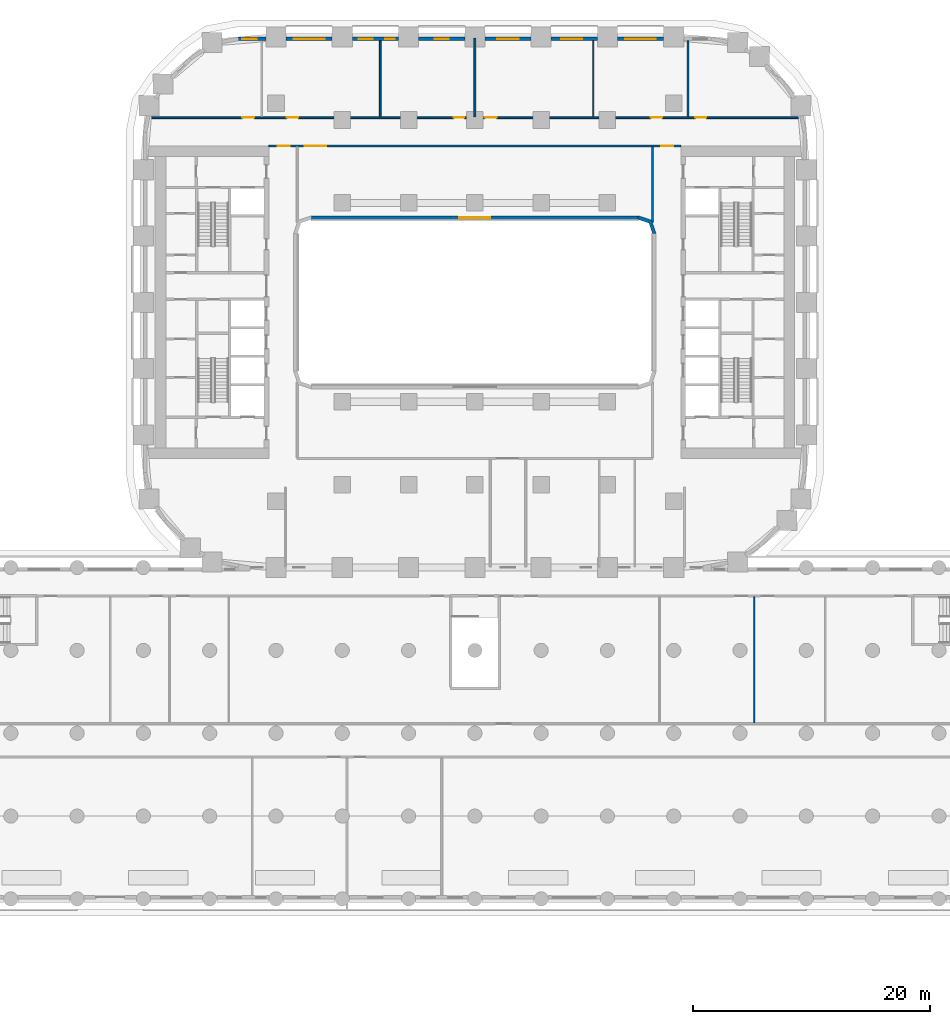
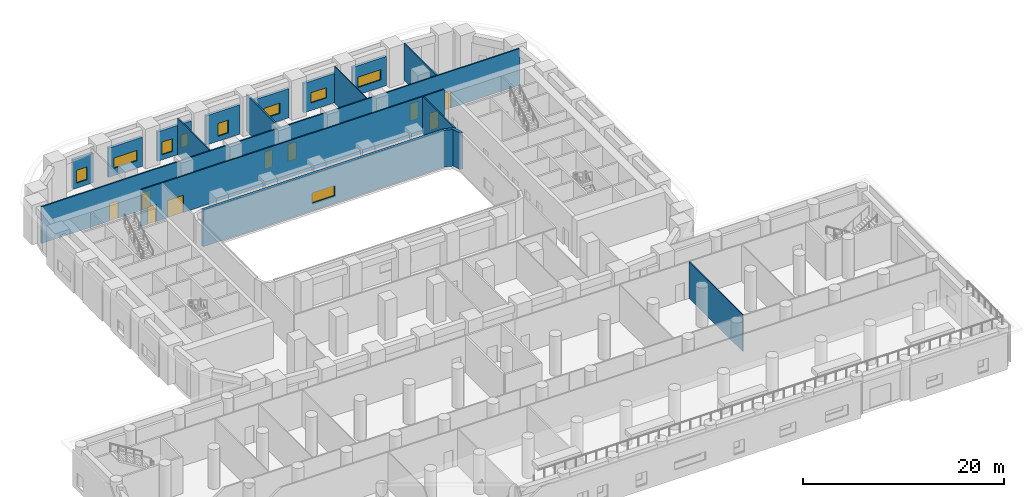
# One storey, part 12 of 24: 17 walls, 9 doors, 9 windows, 18 openings.
"""IFC4 building model written with IfcOpenShell, lengths in metres."""

from ifc_helpers import new_model, si_unit, direction, frame, frame_2d, origin, place, context, subcontext, project, spatial, polyline, rectangle, outline, extrude, material, layer, layer_set, type_object, element, fill, save


model = new_model("IFC4")

# Units and contexts
model_context = context("Model", 3, precision=1e-05, world=origin(), true_north=direction((0.0, 1.0)))
body_context = subcontext(model_context, "Body", "Model", "MODEL_VIEW")
ifc_project = project(units=[si_unit("LENGTHUNIT", "METRE"), si_unit("AREAUNIT", "SQUARE_METRE"), si_unit("VOLUMEUNIT", "CUBIC_METRE"), si_unit("PLANEANGLEUNIT", "RADIAN"), si_unit("MASSUNIT", "GRAM", prefix="KILO")], contexts=[model_context])

# Site, building, storey
site_placement = place(None, origin())
site = spatial("IfcSite", under=ifc_project, at=site_placement, CompositionType="ELEMENT")
building_placement = place(site_placement, origin())
building = spatial("IfcBuilding", under=site, at=building_placement, Name="Kiln Ring Residences", CompositionType="ELEMENT")
storey_placement = place(building_placement, frame((0.0, 0.0, 11.300048828125)))
storey = spatial("IfcBuildingStorey", under=building, at=storey_placement, Name="L02", CompositionType="ELEMENT", Elevation=11.300048828125)

# Wall, opening, window
ifc_material_1 = material(Name="Brick masonry, dark clay brick", Category="masonry")
ifc_layer_1 = layer(ifc_material_1, 0.300048828125)
ifc_layer_set_1 = layer_set([ifc_layer_1], Name="EW-300 BRICK WALL")
wall_type_1 = type_object("IfcWallType", Name="EW-300 BRICK WALL", PredefinedType="SOLIDWALL", material=ifc_layer_set_1)
wall_1_placement = place(storey_placement, frame((15.949951171875, 22.25, 0.0), z_axis=(0.0, 0.0, 1.0), x_axis=(-1.0, 0.0, 0.0)))
wall_1 = element("IfcWall", 1, at=wall_1_placement, inside=storey, type_object=wall_type_1, Name="Facade wall L02 27", PredefinedType="SOLIDWALL", context=body_context, shape_type="SweptSolid", body=[
    extrude(rectangle(XDim=3.89990234375, YDim=0.300048828125, at=frame_2d((1.949951171875, 0.0))), origin(), (0.0, 0.0, 1.0), 3.550048828125),
])
opening_1_placement = place(wall_1_placement, frame((0.64990234375, 0.0, 0.89990234375)))
opening_1 = element("IfcOpeningElement", 2, at=opening_1_placement, cuts=wall_1, Name="Opening W3", PredefinedType="OPENING", context=body_context, shape_type="SweptSolid", body=[
    extrude(rectangle(XDim=2.60009765625, YDim=1.25, at=frame_2d((1.300048828125, 0.625))), frame((0.0, 0.159912109375, 0.0), z_axis=(0.0, -1.0, 0.0), x_axis=(1.0, 0.0, 0.0)), (0.0, 0.0, 1.0), 0.320068359375),
])
ifc_material_2 = material(Name="Aluminium frame with double glazing", Category="aluminium")
window_type_1 = type_object("IfcWindowType", Name="WINDOW 2600 x 1250", PartitioningType="SINGLE_PANEL", PredefinedType="WINDOW", material=ifc_material_2)
window_1_placement = place(opening_1_placement, origin())
window_1 = element("IfcWindow", 3, at=window_1_placement, inside=storey, type_object=window_type_1, Name="Window L02 13", OverallHeight=1.25, OverallWidth=2.60009765625, PartitioningType="SINGLE_PANEL", PredefinedType="WINDOW", context=body_context, shape_type="SweptSolid", body=[
    extrude(rectangle(XDim=2.60009765625, YDim=1.25, at=frame_2d((1.300048828125, 0.625))), frame((0.0, 0.030029296875, 0.0), z_axis=(0.0, -1.0, 0.0), x_axis=(1.0, 0.0, 0.0)), (0.0, 0.0, 1.0), 0.06005859375),
])
fill(opening_1, window_1)

wall_2_placement = place(storey_placement, frame((10.35009765625, 22.25, 0.0), z_axis=(0.0, 0.0, 1.0), x_axis=(-1.0, 0.0, 0.0)))
wall_2 = element("IfcWall", 4, at=wall_2_placement, inside=storey, type_object=wall_type_1, Name="Facade wall L02 28", PredefinedType="SOLIDWALL", context=body_context, shape_type="SweptSolid", body=[
    extrude(rectangle(XDim=3.900146484375, YDim=0.300048828125, at=frame_2d((1.9501953125, 0.0))), origin(), (0.0, 0.0, 1.0), 3.550048828125),
])
opening_2_placement = place(wall_2_placement, frame((1.262451171875, 0.0, 0.89990234375)))
opening_2 = element("IfcOpeningElement", 5, at=opening_2_placement, cuts=wall_2, Name="Opening W2", PredefinedType="OPENING", context=body_context, shape_type="SweptSolid", body=[
    extrude(rectangle(XDim=1.800048828125, YDim=1.25, at=frame_2d((0.89990234375, 0.625))), frame((0.0, 0.159912109375, 0.0), z_axis=(0.0, -1.0, 0.0), x_axis=(1.0, 0.0, 0.0)), (0.0, 0.0, 1.0), 0.320068359375),
])
ifc_material_3 = material(Name="Aluminium frame with double glazing", Category="aluminium")
window_type_2 = type_object("IfcWindowType", Name="WINDOW 1800 x 1250", PartitioningType="SINGLE_PANEL", PredefinedType="WINDOW", material=ifc_material_3)
window_2_placement = place(opening_2_placement, origin())
window_2 = element("IfcWindow", 6, at=window_2_placement, inside=storey, type_object=window_type_2, Name="Window L02 14", OverallHeight=1.25, OverallWidth=1.800048828125, PartitioningType="SINGLE_PANEL", PredefinedType="WINDOW", context=body_context, shape_type="SweptSolid", body=[
    extrude(rectangle(XDim=1.800048828125, YDim=1.25, at=frame_2d((0.89990234375, 0.625))), frame((0.0, 0.030029296875, 0.0), z_axis=(0.0, -1.0, 0.0), x_axis=(1.0, 0.0, 0.0)), (0.0, 0.0, 1.0), 0.06005859375),
])
fill(opening_2, window_2)

wall_3_placement = place(storey_placement, frame((4.75, 22.25, 0.0), z_axis=(0.0, 0.0, 1.0), x_axis=(-1.0, 0.0, 0.0)))
wall_3 = element("IfcWall", 7, at=wall_3_placement, inside=storey, type_object=wall_type_1, Name="Facade wall L02 29", PredefinedType="SOLIDWALL", context=body_context, shape_type="SweptSolid", body=[
    extrude(rectangle(XDim=3.89990234375, YDim=0.300048828125, at=frame_2d((1.949951171875, 0.0))), origin(), (0.0, 0.0, 1.0), 3.550048828125),
])
opening_3_placement = place(wall_3_placement, frame((1.050048828125, 0.0, 0.89990234375)))
opening_3 = element("IfcOpeningElement", 8, at=opening_3_placement, cuts=wall_3, Name="Opening W2", PredefinedType="OPENING", context=body_context, shape_type="SweptSolid", body=[
    extrude(rectangle(XDim=1.800048828125, YDim=1.25, at=frame_2d((0.89990234375, 0.625))), frame((0.0, 0.159912109375, 0.0), z_axis=(0.0, -1.0, 0.0), x_axis=(1.0, 0.0, 0.0)), (0.0, 0.0, 1.0), 0.320068359375),
])
window_3_placement = place(opening_3_placement, origin())
window_3 = element("IfcWindow", 9, at=window_3_placement, inside=storey, type_object=window_type_2, Name="Window L02 15", OverallHeight=1.25, OverallWidth=1.800048828125, PartitioningType="SINGLE_PANEL", PredefinedType="WINDOW", context=body_context, shape_type="SweptSolid", body=[
    extrude(rectangle(XDim=1.800048828125, YDim=1.25, at=frame_2d((0.89990234375, 0.625))), frame((0.0, 0.030029296875, 0.0), z_axis=(0.0, -1.0, 0.0), x_axis=(1.0, 0.0, 0.0)), (0.0, 0.0, 1.0), 0.06005859375),
])
fill(opening_3, window_3)

wall_4_placement = place(storey_placement, frame((-0.85009765625, 22.25, 0.0), z_axis=(0.0, 0.0, 1.0), x_axis=(-1.0, 0.0, 0.0)))
wall_4 = element("IfcWall", 10, at=wall_4_placement, inside=storey, type_object=wall_type_1, Name="Facade wall L02 30", PredefinedType="SOLIDWALL", context=body_context, shape_type="SweptSolid", body=[
    extrude(rectangle(XDim=3.89990234375, YDim=0.300048828125, at=frame_2d((1.949951171875, 0.0))), origin(), (0.0, 0.0, 1.0), 3.550048828125),
])
opening_4_placement = place(wall_4_placement, frame((1.35009765625, 0.0, 0.60009765625)))
opening_4 = element("IfcOpeningElement", 11, at=opening_4_placement, cuts=wall_4, Name="Opening W1", PredefinedType="OPENING", context=body_context, shape_type="SweptSolid", body=[
    extrude(rectangle(XDim=1.199951171875, YDim=1.550048828125, at=frame_2d((0.60009765625, 0.77490234375))), frame((0.0, 0.159912109375, 0.0), z_axis=(0.0, -1.0, 0.0), x_axis=(1.0, 0.0, 0.0)), (0.0, 0.0, 1.0), 0.320068359375),
])
ifc_material_4 = material(Name="Aluminium frame with double glazing", Category="aluminium")
window_type_3 = type_object("IfcWindowType", Name="WINDOW 1200 x 1550", PartitioningType="SINGLE_PANEL", PredefinedType="WINDOW", material=ifc_material_4)
window_4_placement = place(opening_4_placement, origin())
window_4 = element("IfcWindow", 12, at=window_4_placement, inside=storey, type_object=window_type_3, Name="Window L02 16", OverallHeight=1.550048828125, OverallWidth=1.199951171875, PartitioningType="SINGLE_PANEL", PredefinedType="WINDOW", context=body_context, shape_type="SweptSolid", body=[
    extrude(rectangle(XDim=1.199951171875, YDim=1.550048828125, at=frame_2d((0.60009765625, 0.77490234375))), frame((0.0, 0.030029296875, 0.0), z_axis=(0.0, -1.0, 0.0), x_axis=(1.0, 0.0, 0.0)), (0.0, 0.0, 1.0), 0.06005859375),
])
fill(opening_4, window_4)

# Wall, openings, windows
wall_5_placement = place(storey_placement, frame((-6.449951171875, 22.25, 0.0), z_axis=(0.0, 0.0, 1.0), x_axis=(-1.0, 0.0, 0.0)))
wall_5 = element("IfcWall", 13, at=wall_5_placement, inside=storey, type_object=wall_type_1, Name="Facade wall L02 31", PredefinedType="SOLIDWALL", context=body_context, shape_type="SweptSolid", body=[
    extrude(rectangle(XDim=3.900146484375, YDim=0.300048828125, at=frame_2d((1.9501953125, 0.0))), origin(), (0.0, 0.0, 1.0), 3.550048828125),
])
opening_5_placement = place(wall_5_placement, frame((0.33740234375, 0.0, 0.60009765625)))
opening_5 = element("IfcOpeningElement", 14, at=opening_5_placement, cuts=wall_5, Name="Opening W5", PredefinedType="OPENING", context=body_context, shape_type="SweptSolid", body=[
    extrude(rectangle(XDim=0.800048828125, YDim=1.550048828125, at=frame_2d((0.39990234375, 0.77490234375))), frame((0.0, 0.159912109375, 0.0), z_axis=(0.0, -1.0, 0.0), x_axis=(1.0, 0.0, 0.0)), (0.0, 0.0, 1.0), 0.320068359375),
])
opening_6_placement = place(wall_5_placement, frame((2.16259765625, 0.0, 0.60009765625)))
opening_6 = element("IfcOpeningElement", 15, at=opening_6_placement, cuts=wall_5, Name="Opening W1", PredefinedType="OPENING", context=body_context, shape_type="SweptSolid", body=[
    extrude(rectangle(XDim=1.199951171875, YDim=1.550048828125, at=frame_2d((0.60009765625, 0.77490234375))), frame((0.0, 0.159912109375, 0.0), z_axis=(0.0, -1.0, 0.0), x_axis=(1.0, 0.0, 0.0)), (0.0, 0.0, 1.0), 0.320068359375),
])
window_5_placement = place(opening_6_placement, origin())
window_5 = element("IfcWindow", 16, at=window_5_placement, inside=storey, type_object=window_type_3, Name="Window L02 18", OverallHeight=1.550048828125, OverallWidth=1.199951171875, PartitioningType="SINGLE_PANEL", PredefinedType="WINDOW", context=body_context, shape_type="SweptSolid", body=[
    extrude(rectangle(XDim=1.199951171875, YDim=1.550048828125, at=frame_2d((0.60009765625, 0.77490234375))), frame((0.0, 0.030029296875, 0.0), z_axis=(0.0, -1.0, 0.0), x_axis=(1.0, 0.0, 0.0)), (0.0, 0.0, 1.0), 0.06005859375),
])
fill(opening_6, window_5)
ifc_material_5 = material(Name="Aluminium frame with double glazing", Category="aluminium")
window_type_4 = type_object("IfcWindowType", Name="WINDOW 800 x 1550", PartitioningType="SINGLE_PANEL", PredefinedType="WINDOW", material=ifc_material_5)
window_6_placement = place(opening_5_placement, origin())
window_6 = element("IfcWindow", 17, at=window_6_placement, inside=storey, type_object=window_type_4, Name="Window L02 17", OverallHeight=1.550048828125, OverallWidth=0.800048828125, PartitioningType="SINGLE_PANEL", PredefinedType="WINDOW", context=body_context, shape_type="SweptSolid", body=[
    extrude(rectangle(XDim=0.800048828125, YDim=1.550048828125, at=frame_2d((0.39990234375, 0.77490234375))), frame((0.0, 0.030029296875, 0.0), z_axis=(0.0, -1.0, 0.0), x_axis=(1.0, 0.0, 0.0)), (0.0, 0.0, 1.0), 0.06005859375),
])
fill(opening_5, window_6)

# Wall, opening, window
wall_6_placement = place(storey_placement, frame((-12.050048828125, 22.25, 0.0), z_axis=(0.0, 0.0, 1.0), x_axis=(-1.0, 0.0, 0.0)))
wall_6 = element("IfcWall", 18, at=wall_6_placement, inside=storey, type_object=wall_type_1, Name="Facade wall L02 32", PredefinedType="SOLIDWALL", context=body_context, shape_type="SweptSolid", body=[
    extrude(rectangle(XDim=3.89990234375, YDim=0.300048828125, at=frame_2d((1.949951171875, 0.0))), origin(), (0.0, 0.0, 1.0), 3.550048828125),
])
opening_7_placement = place(wall_6_placement, frame((0.64990234375, 0.0, 0.89990234375)))
opening_7 = element("IfcOpeningElement", 19, at=opening_7_placement, cuts=wall_6, Name="Opening W3", PredefinedType="OPENING", context=body_context, shape_type="SweptSolid", body=[
    extrude(rectangle(XDim=2.60009765625, YDim=1.25, at=frame_2d((1.300048828125, 0.625))), frame((0.0, 0.159912109375, 0.0), z_axis=(0.0, -1.0, 0.0), x_axis=(1.0, 0.0, 0.0)), (0.0, 0.0, 1.0), 0.320068359375),
])
window_7_placement = place(opening_7_placement, origin())
window_7 = element("IfcWindow", 20, at=window_7_placement, inside=storey, type_object=window_type_1, Name="Window L02 19", OverallHeight=1.25, OverallWidth=2.60009765625, PartitioningType="SINGLE_PANEL", PredefinedType="WINDOW", context=body_context, shape_type="SweptSolid", body=[
    extrude(rectangle(XDim=2.60009765625, YDim=1.25, at=frame_2d((1.300048828125, 0.625))), frame((0.0, 0.030029296875, 0.0), z_axis=(0.0, -1.0, 0.0), x_axis=(1.0, 0.0, 0.0)), (0.0, 0.0, 1.0), 0.06005859375),
])
fill(opening_7, window_7)

wall_7_placement = place(storey_placement, frame((-17.64990234375, 22.25, 0.0), z_axis=(0.0, 0.0, 1.0), x_axis=(-1.0, 0.0, 0.0)))
wall_7 = element("IfcWall", 21, at=wall_7_placement, inside=storey, type_object=wall_type_1, Name="Facade wall L02 33", PredefinedType="SOLIDWALL", context=body_context, shape_type="SweptSolid", body=[
    extrude(rectangle(XDim=2.35009765625, YDim=0.300048828125, at=frame_2d((1.175048828125, 0.0))), origin(), (0.0, 0.0, 1.0), 3.550048828125),
])
opening_8_placement = place(wall_7_placement, frame((0.78759765625, 0.0, 0.60009765625)))
opening_8 = element("IfcOpeningElement", 22, at=opening_8_placement, cuts=wall_7, Name="Opening W1", PredefinedType="OPENING", context=body_context, shape_type="SweptSolid", body=[
    extrude(rectangle(XDim=1.199951171875, YDim=1.550048828125, at=frame_2d((0.60009765625, 0.77490234375))), frame((0.0, 0.159912109375, 0.0), z_axis=(0.0, -1.0, 0.0), x_axis=(1.0, 0.0, 0.0)), (0.0, 0.0, 1.0), 0.320068359375),
])
window_8_placement = place(opening_8_placement, origin())
window_8 = element("IfcWindow", 23, at=window_8_placement, inside=storey, type_object=window_type_3, Name="Window L02 20", OverallHeight=1.550048828125, OverallWidth=1.199951171875, PartitioningType="SINGLE_PANEL", PredefinedType="WINDOW", context=body_context, shape_type="SweptSolid", body=[
    extrude(rectangle(XDim=1.199951171875, YDim=1.550048828125, at=frame_2d((0.60009765625, 0.77490234375))), frame((0.0, 0.030029296875, 0.0), z_axis=(0.0, -1.0, 0.0), x_axis=(1.0, 0.0, 0.0)), (0.0, 0.0, 1.0), 0.06005859375),
])
fill(opening_8, window_8)

wall_8_placement = place(storey_placement, frame((-13.800048828125, 7.14990234375, 0.0), z_axis=(0.0, 0.0, 1.0), x_axis=(1.0, 0.0, 0.0)))
wall_8 = element("IfcWall", 24, at=wall_8_placement, inside=storey, type_object=wall_type_1, Name="Facade wall L02 76", PredefinedType="SOLIDWALL", context=body_context, shape_type="SweptSolid", body=[
    extrude(rectangle(XDim=27.60009765625, YDim=0.300048828125, at=frame_2d((13.800048828125, 0.0))), origin(), (0.0, 0.0, 1.0), 4.449951171875),
])
opening_9_placement = place(wall_8_placement, frame((12.5, 0.0, 0.89990234375)))
opening_9 = element("IfcOpeningElement", 25, at=opening_9_placement, cuts=wall_8, Name="Opening W3", PredefinedType="OPENING", context=body_context, shape_type="SweptSolid", body=[
    extrude(rectangle(XDim=2.60009765625, YDim=1.25, at=frame_2d((1.300048828125, 0.625))), frame((0.0, 0.159912109375, 0.0), z_axis=(0.0, -1.0, 0.0), x_axis=(1.0, 0.0, 0.0)), (0.0, 0.0, 1.0), 0.320068359375),
])
window_9_placement = place(opening_9_placement, origin())
window_9 = element("IfcWindow", 26, at=window_9_placement, inside=storey, type_object=window_type_1, Name="Window L02 47", OverallHeight=1.25, OverallWidth=2.60009765625, PartitioningType="SINGLE_PANEL", PredefinedType="WINDOW", context=body_context, shape_type="SweptSolid", body=[
    extrude(rectangle(XDim=2.60009765625, YDim=1.25, at=frame_2d((1.300048828125, 0.625))), frame((0.0, 0.030029296875, 0.0), z_axis=(0.0, -1.0, 0.0), x_axis=(1.0, 0.0, 0.0)), (0.0, 0.0, 1.0), 0.06005859375),
])
fill(opening_9, window_9)

# Walls
wall_9_placement = place(storey_placement, origin())
element("IfcWall", 27, at=wall_9_placement, inside=storey, type_object=wall_type_1, Name="Corner wall L02 4", PredefinedType="SOLIDWALL", context=body_context, shape_type="SweptSolid", body=[
    extrude(outline(polyline([(14.937255859375, 6.937255859375), (13.8486328125, 7.300048828125), (13.800048828125, 7.300048828125), (13.800048828125, 7.0), (14.699951171875, 6.699951171875), (15.0, 5.800048828125), (15.300048828125, 5.800048828125), (15.300048828125, 5.8486328125), (14.937255859375, 6.937255859375)])), origin(), (0.0, 0.0, 1.0), 4.449951171875),
])
ifc_material_6 = material(Name="Gypsum board on steel studs", Category="steel")
ifc_layer_2 = layer(ifc_material_6, 0.10009765625)
ifc_layer_set_2 = layer_set([ifc_layer_2], Name="PARTITION-100")
wall_type_2 = type_object("IfcWallType", Name="PARTITION-100", PredefinedType="PARTITIONING", material=ifc_layer_set_2)
wall_10_placement = place(storey_placement, frame((10.0, 15.675048828125, 0.0), z_axis=(0.0, 0.0, 1.0), x_axis=(0.0, 1.0, 0.0)))
element("IfcWall", 28, at=wall_10_placement, inside=storey, type_object=wall_type_2, Name="Partition 033", PredefinedType="PARTITIONING", context=body_context, shape_type="SweptSolid", body=[
    extrude(rectangle(XDim=6.405029296875, YDim=0.10009765625, at=frame_2d((3.20263671875, 0.0))), origin(), (0.0, 0.0, 1.0), 4.449951171875),
])
wall_11_placement = place(storey_placement, frame((23.60009765625, -35.52490234375, 0.0), z_axis=(0.0, 0.0, 1.0), x_axis=(0.0, 1.0, 0.0)))
element("IfcWall", 29, at=wall_11_placement, inside=storey, type_object=wall_type_2, Name="Partition 041", PredefinedType="PARTITIONING", context=body_context, shape_type="SweptSolid", body=[
    extrude(rectangle(XDim=10.64990234375, YDim=0.10009765625, at=frame_2d((5.324951171875, 0.0))), origin(), (0.0, 0.0, 1.0), 4.449951171875),
])

# Wall, openings, doors
ifc_material_7 = material(Name="Brick masonry partition", Category="masonry")
ifc_layer_3 = layer(ifc_material_7, 0.14990234375)
ifc_layer_set_3 = layer_set([ifc_layer_3], Name="PARTITION-150-ei60")
wall_type_3 = type_object("IfcWallType", Name="PARTITION-150-ei60", PredefinedType="PARTITIONING", material=ifc_layer_set_3)
wall_12_placement = place(storey_placement, frame((-17.39990234375, 13.199951171875, 0.0), z_axis=(0.0, 0.0, 1.0), x_axis=(1.0, 0.0, 0.0)))
wall_12 = element("IfcWall", 30, at=wall_12_placement, inside=storey, type_object=wall_type_3, Name="Partition 015", PredefinedType="PARTITIONING", context=body_context, shape_type="SweptSolid", body=[
    extrude(rectangle(XDim=34.7998046875, YDim=0.14990234375, at=frame_2d((17.39990234375, 0.0))), origin(), (0.0, 0.0, 1.0), 4.449951171875),
])
opening_10_placement = place(wall_12_placement, frame((3.050048828125, 0.0, 0.0)))
opening_10 = element("IfcOpeningElement", 31, at=opening_10_placement, cuts=wall_12, Name="Opening L02-D001", PredefinedType="OPENING", context=body_context, shape_type="SweptSolid", body=[
    extrude(rectangle(XDim=1.800048828125, YDim=2.10009765625, at=frame_2d((0.89990234375, 1.050048828125))), frame((0.0, 0.0849609375, 0.0), z_axis=(0.0, -1.0, 0.0), x_axis=(1.0, 0.0, 0.0)), (0.0, 0.0, 1.0), 0.169921875),
])
opening_11_placement = place(wall_12_placement, frame((0.75, 0.0, 0.0)))
opening_11 = element("IfcOpeningElement", 32, at=opening_11_placement, cuts=wall_12, Name="Opening L02-D002", PredefinedType="OPENING", context=body_context, shape_type="SweptSolid", body=[
    extrude(rectangle(XDim=1.0, YDim=2.10009765625, at=frame_2d((0.5, 1.050048828125))), frame((0.0, 0.0849609375, 0.0), z_axis=(0.0, -1.0, 0.0), x_axis=(1.0, 0.0, 0.0)), (0.0, 0.0, 1.0), 0.169921875),
])
opening_12_placement = place(wall_12_placement, frame((33.14990234375, 0.0, 0.0)))
opening_12 = element("IfcOpeningElement", 33, at=opening_12_placement, cuts=wall_12, Name="Opening L02-D003", PredefinedType="OPENING", context=body_context, shape_type="SweptSolid", body=[
    extrude(rectangle(XDim=1.0, YDim=2.10009765625, at=frame_2d((0.5, 1.050048828125))), frame((0.0, 0.0849609375, 0.0), z_axis=(0.0, -1.0, 0.0), x_axis=(1.0, 0.0, 0.0)), (0.0, 0.0, 1.0), 0.169921875),
])
ifc_material_8 = material(Name="Steel faced fire door leaf", Category="steel")
door_type_1 = type_object("IfcDoorType", Name="FLAT-DOOR-1000-FR", OperationType="SINGLE_SWING_LEFT", PredefinedType="DOOR", material=ifc_material_8)
door_1_placement = place(opening_11_placement, origin())
door_1 = element("IfcDoor", 34, at=door_1_placement, inside=storey, type_object=door_type_1, Name="Door L02-D002", OperationType="SINGLE_SWING_LEFT", OverallHeight=2.10009765625, OverallWidth=1.0, PredefinedType="DOOR", context=body_context, shape_type="SweptSolid", body=[
    extrude(rectangle(XDim=1.0, YDim=2.10009765625, at=frame_2d((0.5, 1.050048828125))), frame((0.0, 0.02490234375, 0.0), z_axis=(0.0, -1.0, 0.0), x_axis=(1.0, 0.0, 0.0)), (0.0, 0.0, 1.0), 0.050048828125),
])
fill(opening_11, door_1)
door_2_placement = place(opening_12_placement, origin())
door_2 = element("IfcDoor", 35, at=door_2_placement, inside=storey, type_object=door_type_1, Name="Door L02-D003", OperationType="SINGLE_SWING_RIGHT", OverallHeight=2.10009765625, OverallWidth=1.0, PredefinedType="DOOR", context=body_context, shape_type="SweptSolid", body=[
    extrude(rectangle(XDim=1.0, YDim=2.10009765625, at=frame_2d((0.5, 1.050048828125))), frame((0.0, 0.02490234375, 0.0), z_axis=(0.0, -1.0, 0.0), x_axis=(1.0, 0.0, 0.0)), (0.0, 0.0, 1.0), 0.050048828125),
])
fill(opening_12, door_2)
ifc_material_9 = material(Name="Steel faced fire door leaf", Category="steel")
door_type_2 = type_object("IfcDoorType", Name="FLAT-DOOR-1800-FR", OperationType="SINGLE_SWING_LEFT", PredefinedType="DOOR", material=ifc_material_9)
door_3_placement = place(opening_10_placement, origin())
door_3 = element("IfcDoor", 36, at=door_3_placement, inside=storey, type_object=door_type_2, Name="Door L02-D001", OperationType="SINGLE_SWING_LEFT", OverallHeight=2.10009765625, OverallWidth=1.800048828125, PredefinedType="DOOR", context=body_context, shape_type="SweptSolid", body=[
    extrude(rectangle(XDim=1.800048828125, YDim=2.10009765625, at=frame_2d((0.89990234375, 1.050048828125))), frame((0.0, 0.02490234375, 0.0), z_axis=(0.0, -1.0, 0.0), x_axis=(1.0, 0.0, 0.0)), (0.0, 0.0, 1.0), 0.050048828125),
])
fill(opening_10, door_3)

wall_13_placement = place(storey_placement, frame((-27.44580078125, 15.60009765625, 0.0), z_axis=(0.0, 0.0, 1.0), x_axis=(1.0, 0.0, 0.0)))
wall_13 = element("IfcWall", 37, at=wall_13_placement, inside=storey, type_object=wall_type_3, Name="Partition 016", PredefinedType="PARTITIONING", context=body_context, shape_type="SweptSolid", body=[
    extrude(rectangle(XDim=54.8916015625, YDim=0.14990234375, at=frame_2d((27.44580078125, 0.0))), origin(), (0.0, 0.0, 1.0), 4.449951171875),
])
opening_13_placement = place(wall_13_placement, frame((7.795654296875, 0.0, 0.0)))
opening_13 = element("IfcOpeningElement", 38, at=opening_13_placement, cuts=wall_13, Name="Opening L02-D029", PredefinedType="OPENING", context=body_context, shape_type="SweptSolid", body=[
    extrude(rectangle(XDim=1.0, YDim=2.10009765625, at=frame_2d((0.5, 1.050048828125))), frame((0.0, 0.0849609375, 0.0), z_axis=(0.0, -1.0, 0.0), x_axis=(1.0, 0.0, 0.0)), (0.0, 0.0, 1.0), 0.169921875),
])
opening_14_placement = place(wall_13_placement, frame((11.545654296875, 0.0, 0.0)))
opening_14 = element("IfcOpeningElement", 39, at=opening_14_placement, cuts=wall_13, Name="Opening L02-D030", PredefinedType="OPENING", context=body_context, shape_type="SweptSolid", body=[
    extrude(rectangle(XDim=1.0, YDim=2.10009765625, at=frame_2d((0.5, 1.050048828125))), frame((0.0, 0.0849609375, 0.0), z_axis=(0.0, -1.0, 0.0), x_axis=(1.0, 0.0, 0.0)), (0.0, 0.0, 1.0), 0.169921875),
])
opening_15_placement = place(wall_13_placement, frame((25.645751953125, 0.0, 0.0)))
opening_15 = element("IfcOpeningElement", 40, at=opening_15_placement, cuts=wall_13, Name="Opening L02-D031", PredefinedType="OPENING", context=body_context, shape_type="SweptSolid", body=[
    extrude(rectangle(XDim=0.89990234375, YDim=2.10009765625, at=frame_2d((0.449951171875, 1.050048828125))), frame((0.0, 0.0849609375, 0.0), z_axis=(0.0, -1.0, 0.0), x_axis=(1.0, 0.0, 0.0)), (0.0, 0.0, 1.0), 0.169921875),
])
opening_16_placement = place(wall_13_placement, frame((28.295654296875, 0.0, 0.0)))
opening_16 = element("IfcOpeningElement", 41, at=opening_16_placement, cuts=wall_13, Name="Opening L02-D032", PredefinedType="OPENING", context=body_context, shape_type="SweptSolid", body=[
    extrude(rectangle(XDim=1.0, YDim=2.10009765625, at=frame_2d((0.5, 1.050048828125))), frame((0.0, 0.0849609375, 0.0), z_axis=(0.0, -1.0, 0.0), x_axis=(1.0, 0.0, 0.0)), (0.0, 0.0, 1.0), 0.169921875),
])
opening_17_placement = place(wall_13_placement, frame((42.295654296875, 0.0, 0.0)))
opening_17 = element("IfcOpeningElement", 42, at=opening_17_placement, cuts=wall_13, Name="Opening L02-D033", PredefinedType="OPENING", context=body_context, shape_type="SweptSolid", body=[
    extrude(rectangle(XDim=1.0, YDim=2.10009765625, at=frame_2d((0.5, 1.050048828125))), frame((0.0, 0.0849609375, 0.0), z_axis=(0.0, -1.0, 0.0), x_axis=(1.0, 0.0, 0.0)), (0.0, 0.0, 1.0), 0.169921875),
])
opening_18_placement = place(wall_13_placement, frame((46.07470703125, 0.0, 0.0)))
opening_18 = element("IfcOpeningElement", 43, at=opening_18_placement, cuts=wall_13, Name="Opening L02-D034", PredefinedType="OPENING", context=body_context, shape_type="SweptSolid", body=[
    extrude(rectangle(XDim=0.89990234375, YDim=2.10009765625, at=frame_2d((0.449951171875, 1.050048828125))), frame((0.0, 0.0849609375, 0.0), z_axis=(0.0, -1.0, 0.0), x_axis=(1.0, 0.0, 0.0)), (0.0, 0.0, 1.0), 0.169921875),
])
door_4_placement = place(opening_13_placement, origin())
door_4 = element("IfcDoor", 44, at=door_4_placement, inside=storey, type_object=door_type_1, Name="Door L02-D029", OperationType="SINGLE_SWING_LEFT", OverallHeight=2.10009765625, OverallWidth=1.0, PredefinedType="DOOR", context=body_context, shape_type="SweptSolid", body=[
    extrude(rectangle(XDim=1.0, YDim=2.10009765625, at=frame_2d((0.5, 1.050048828125))), frame((0.0, 0.02490234375, 0.0), z_axis=(0.0, -1.0, 0.0), x_axis=(1.0, 0.0, 0.0)), (0.0, 0.0, 1.0), 0.050048828125),
])
fill(opening_13, door_4)
door_5_placement = place(opening_14_placement, origin())
door_5 = element("IfcDoor", 45, at=door_5_placement, inside=storey, type_object=door_type_1, Name="Door L02-D030", OperationType="SINGLE_SWING_RIGHT", OverallHeight=2.10009765625, OverallWidth=1.0, PredefinedType="DOOR", context=body_context, shape_type="SweptSolid", body=[
    extrude(rectangle(XDim=1.0, YDim=2.10009765625, at=frame_2d((0.5, 1.050048828125))), frame((0.0, 0.02490234375, 0.0), z_axis=(0.0, -1.0, 0.0), x_axis=(1.0, 0.0, 0.0)), (0.0, 0.0, 1.0), 0.050048828125),
])
fill(opening_14, door_5)
door_6_placement = place(opening_16_placement, origin())
door_6 = element("IfcDoor", 46, at=door_6_placement, inside=storey, type_object=door_type_1, Name="Door L02-D032", OperationType="SINGLE_SWING_RIGHT", OverallHeight=2.10009765625, OverallWidth=1.0, PredefinedType="DOOR", context=body_context, shape_type="SweptSolid", body=[
    extrude(rectangle(XDim=1.0, YDim=2.10009765625, at=frame_2d((0.5, 1.050048828125))), frame((0.0, 0.02490234375, 0.0), z_axis=(0.0, -1.0, 0.0), x_axis=(1.0, 0.0, 0.0)), (0.0, 0.0, 1.0), 0.050048828125),
])
fill(opening_16, door_6)
door_7_placement = place(opening_17_placement, origin())
door_7 = element("IfcDoor", 47, at=door_7_placement, inside=storey, type_object=door_type_1, Name="Door L02-D033", OperationType="SINGLE_SWING_LEFT", OverallHeight=2.10009765625, OverallWidth=1.0, PredefinedType="DOOR", context=body_context, shape_type="SweptSolid", body=[
    extrude(rectangle(XDim=1.0, YDim=2.10009765625, at=frame_2d((0.5, 1.050048828125))), frame((0.0, 0.02490234375, 0.0), z_axis=(0.0, -1.0, 0.0), x_axis=(1.0, 0.0, 0.0)), (0.0, 0.0, 1.0), 0.050048828125),
])
fill(opening_17, door_7)
ifc_material_10 = material(Name="Steel faced fire door leaf", Category="steel")
door_type_3 = type_object("IfcDoorType", Name="FLAT-DOOR-900-FR", OperationType="SINGLE_SWING_LEFT", PredefinedType="DOOR", material=ifc_material_10)
door_8_placement = place(opening_15_placement, origin())
door_8 = element("IfcDoor", 48, at=door_8_placement, inside=storey, type_object=door_type_3, Name="Door L02-D031", OperationType="SINGLE_SWING_LEFT", OverallHeight=2.10009765625, OverallWidth=0.89990234375, PredefinedType="DOOR", context=body_context, shape_type="SweptSolid", body=[
    extrude(rectangle(XDim=0.89990234375, YDim=2.10009765625, at=frame_2d((0.449951171875, 1.050048828125))), frame((0.0, 0.02490234375, 0.0), z_axis=(0.0, -1.0, 0.0), x_axis=(1.0, 0.0, 0.0)), (0.0, 0.0, 1.0), 0.050048828125),
])
fill(opening_15, door_8)
door_9_placement = place(opening_18_placement, origin())
door_9 = element("IfcDoor", 49, at=door_9_placement, inside=storey, type_object=door_type_3, Name="Door L02-D034", OperationType="SINGLE_SWING_RIGHT", OverallHeight=2.10009765625, OverallWidth=0.89990234375, PredefinedType="DOOR", context=body_context, shape_type="SweptSolid", body=[
    extrude(rectangle(XDim=0.89990234375, YDim=2.10009765625, at=frame_2d((0.449951171875, 1.050048828125))), frame((0.0, 0.02490234375, 0.0), z_axis=(0.0, -1.0, 0.0), x_axis=(1.0, 0.0, 0.0)), (0.0, 0.0, 1.0), 0.050048828125),
])
fill(opening_18, door_9)

# Walls
wall_14_placement = place(storey_placement, frame((-8.0, 15.675048828125, 0.0), z_axis=(0.0, 0.0, 1.0), x_axis=(0.0, 1.0, 0.0)))
element("IfcWall", 50, at=wall_14_placement, inside=storey, type_object=wall_type_3, Name="Partition 027", PredefinedType="PARTITIONING", context=body_context, shape_type="SweptSolid", body=[
    extrude(rectangle(XDim=6.405029296875, YDim=0.14990234375, at=frame_2d((3.20263671875, 0.0))), origin(), (0.0, 0.0, 1.0), 4.449951171875),
])
wall_15_placement = place(storey_placement, frame((0.0, 15.675048828125, 0.0), z_axis=(0.0, 0.0, 1.0), x_axis=(0.0, 1.0, 0.0)))
element("IfcWall", 51, at=wall_15_placement, inside=storey, type_object=wall_type_3, Name="Partition 029", PredefinedType="PARTITIONING", context=body_context, shape_type="SweptSolid", body=[
    extrude(rectangle(XDim=6.635009765625, YDim=0.14990234375, at=frame_2d((3.3173828125, 0.0))), origin(), (0.0, 0.0, 1.0), 4.449951171875),
])
wall_16_placement = place(storey_placement, frame((15.0, 6.768798828125, 0.0), z_axis=(0.0, 0.0, 1.0), x_axis=(0.0, 1.0, 0.0)))
element("IfcWall", 52, at=wall_16_placement, inside=storey, type_object=wall_type_3, Name="Partition 037", PredefinedType="PARTITIONING", context=body_context, shape_type="SweptSolid", body=[
    extrude(rectangle(XDim=6.356201171875, YDim=0.14990234375, at=frame_2d((3.17822265625, 0.0))), origin(), (0.0, 0.0, 1.0), 4.449951171875),
])
wall_17_placement = place(storey_placement, frame((18.0, 15.675048828125, 0.0), z_axis=(0.0, 0.0, 1.0), x_axis=(0.0, 1.0, 0.0)))
element("IfcWall", 53, at=wall_17_placement, inside=storey, type_object=wall_type_3, Name="Partition 040", PredefinedType="PARTITIONING", context=body_context, shape_type="SweptSolid", body=[
    extrude(rectangle(XDim=6.405029296875, YDim=0.14990234375, at=frame_2d((3.20263671875, 0.0))), origin(), (0.0, 0.0, 1.0), 4.449951171875),
])

save(model, "model.ifc")
